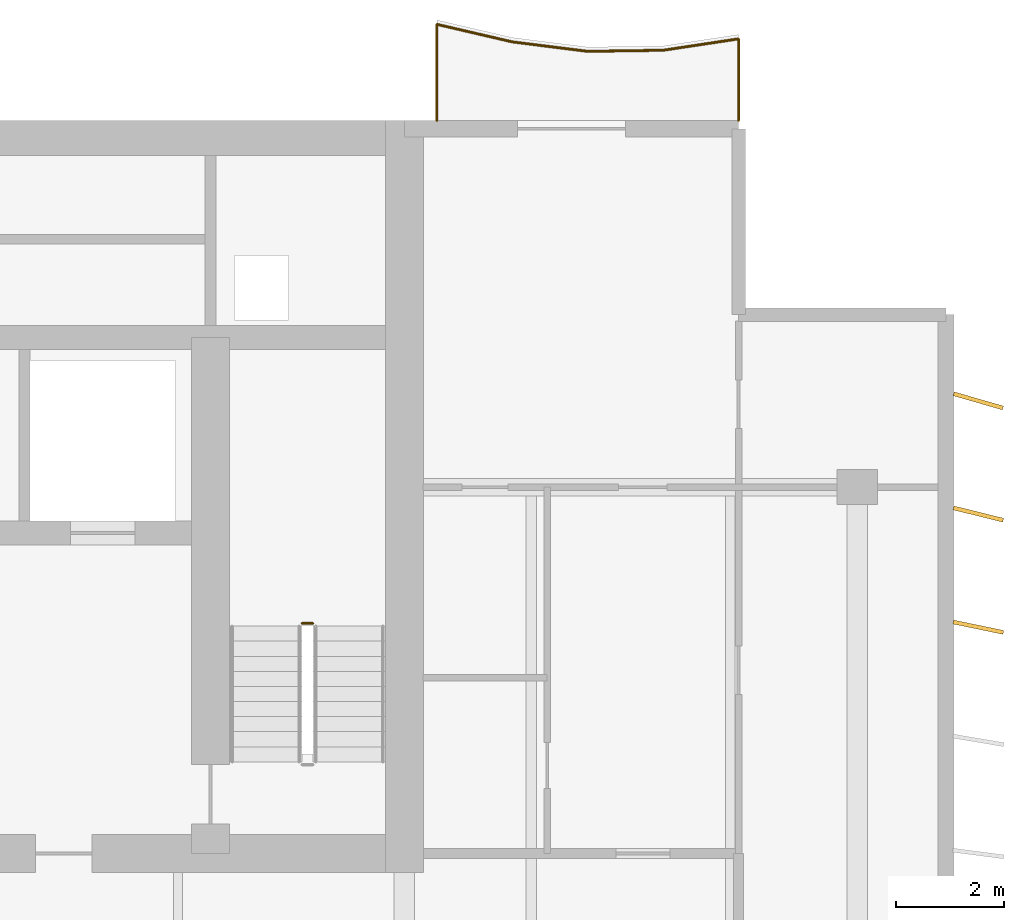
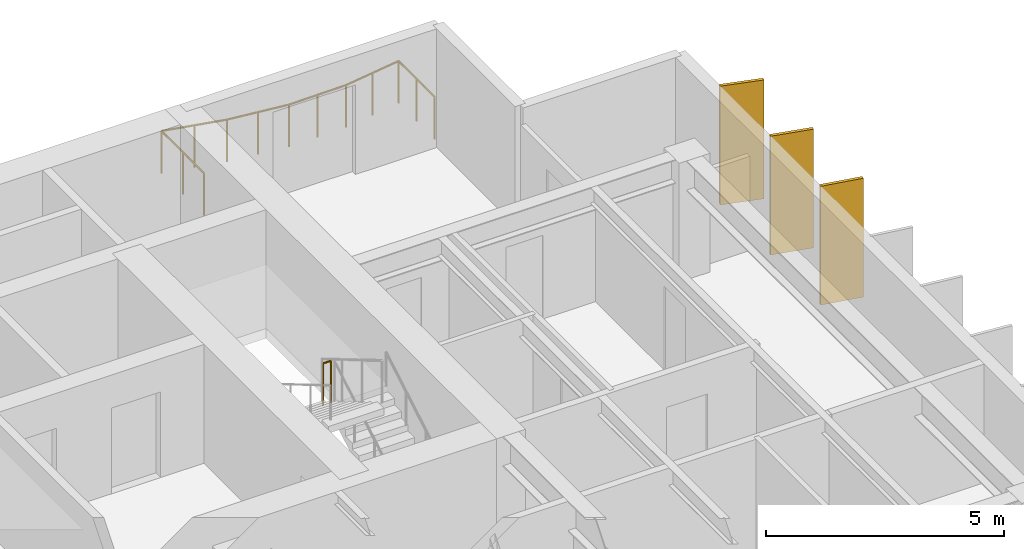
# One storey, part 17 of 17: 3 shading devices, 2 railings.
"""IFC4 building model written with IfcOpenShell, lengths in metres."""

from ifc_helpers import new_model, si_unit, direction, frame, origin, origin_2d, place, context, subcontext, project, spatial, rectangle, circle, extrude, material, material_profile, profile_set, type_object, element, save


model = new_model("IFC4")

# Units and contexts
model_context = context("Model", 3, precision=1e-05, world=origin(), true_north=direction((0.0, 1.0)))
body_context = subcontext(model_context, "Body", "Model", "MODEL_VIEW")
ifc_project = project(units=[si_unit("LENGTHUNIT", "METRE"), si_unit("AREAUNIT", "SQUARE_METRE"), si_unit("VOLUMEUNIT", "CUBIC_METRE"), si_unit("PLANEANGLEUNIT", "RADIAN"), si_unit("MASSUNIT", "GRAM", prefix="KILO")], contexts=[model_context])

# Site, building, storey
site_placement = place(None, origin())
site = spatial("IfcSite", under=ifc_project, at=site_placement, CompositionType="ELEMENT")
building_placement = place(site_placement, origin())
building = spatial("IfcBuilding", under=site, at=building_placement, Name="Caelmar Bay Residences", CompositionType="ELEMENT")
storey_placement = place(building_placement, frame((0.0, 0.0, 236.39990234375)))
storey = spatial("IfcBuildingStorey", under=building, at=storey_placement, Name="L66", CompositionType="ELEMENT", Elevation=236.39990234375)

# Railings
ifc_material_1 = material(Name="Anodised bronze handrail with laminated hurricane glass infill", Category="glass")
railing_type_1 = type_object("IfcRailingType", Name="RL-BAL-1100", PredefinedType="BALUSTRADE", material=ifc_material_1)
railing_1_placement = place(storey_placement, frame((65.699951171875, 50.60009765625, 0.0)))
element("IfcRailing", 1, at=railing_1_placement, inside=storey, type_object=railing_type_1, Name="L66 north_east Balcony Balustrade", PredefinedType="BALUSTRADE", context=body_context, shape_type="SweptSolid", body=[
    extrude(circle(Radius=0.02392578125, at=origin_2d()), frame((0.0, 0.0, 1.076171875), z_axis=(0.0, 1.0, 0.0), x_axis=(-1.0, 0.0, 0.0)), (0.0, 0.0, 1.0), 1.51806640625),
    extrude(circle(Radius=0.02392578125, at=origin_2d()), frame((0.0, 1.51806640625, 1.076171875), z_axis=(-0.988786598686, -0.149335401894, 0.0), x_axis=(0.149335401894, -0.988786598686, 0.0)), (0.0, 0.0, 1.0), 1.415771484375),
    extrude(circle(Radius=0.02392578125, at=origin_2d()), frame((-1.39990234375, 1.306640625, 1.076171875), z_axis=(-0.999895289284, -0.014471021623, 0.0), x_axis=(0.014471021623, -0.999895289284, 0.0)), (0.0, 0.0, 1.0), 1.400390625),
    extrude(circle(Radius=0.02392578125, at=origin_2d()), frame((-2.800048828125, 1.286376953125, 1.076171875), z_axis=(-0.992187101504, 0.124758789708, 0.0), x_axis=(-0.124758789708, -0.992187101504, 0.0)), (0.0, 0.0, 1.0), 1.410888671875),
    extrude(circle(Radius=0.02392578125, at=origin_2d()), frame((-4.199951171875, 1.46240234375, 1.076171875), z_axis=(-0.973988849796, 0.226595940989, 0.0), x_axis=(-0.226595940989, -0.973988849796, 0.0)), (0.0, 0.0, 1.0), 1.437255859375),
    extrude(circle(Radius=0.02392578125, at=origin_2d()), frame((-5.599853515625, 1.7880859375, 1.076171875), z_axis=(0.0, -1.0, 0.0), x_axis=(1.0, 0.0, 0.0)), (0.0, 0.0, 1.0), 1.7880859375),
    extrude(circle(Radius=0.02099609375, at=origin_2d()), origin(), (0.0, 0.0, 1.0), 1.052001953125),
    extrude(circle(Radius=0.02099609375, at=origin_2d()), frame((0.0, 0.759033203125, 0.0)), (0.0, 0.0, 1.0), 1.052001953125),
    extrude(circle(Radius=0.02099609375, at=origin_2d()), frame((0.0, 1.51806640625, 0.0)), (0.0, 0.0, 1.0), 1.052001953125),
    extrude(circle(Radius=0.02099609375, at=origin_2d()), frame((-0.699951171875, 1.412353515625, 0.0)), (0.0, 0.0, 1.0), 1.052001953125),
    extrude(circle(Radius=0.02099609375, at=origin_2d()), frame((-1.39990234375, 1.306640625, 0.0)), (0.0, 0.0, 1.0), 1.052001953125),
    extrude(circle(Radius=0.02099609375, at=origin_2d()), frame((-2.10009765625, 1.29638671875, 0.0)), (0.0, 0.0, 1.0), 1.052001953125),
    extrude(circle(Radius=0.02099609375, at=origin_2d()), frame((-2.800048828125, 1.286376953125, 0.0)), (0.0, 0.0, 1.0), 1.052001953125),
    extrude(circle(Radius=0.02099609375, at=origin_2d()), frame((-3.5, 1.37451171875, 0.0)), (0.0, 0.0, 1.0), 1.052001953125),
    extrude(circle(Radius=0.02099609375, at=origin_2d()), frame((-4.199951171875, 1.46240234375, 0.0)), (0.0, 0.0, 1.0), 1.052001953125),
    extrude(circle(Radius=0.02099609375, at=origin_2d()), frame((-4.89990234375, 1.625244140625, 0.0)), (0.0, 0.0, 1.0), 1.052001953125),
    extrude(circle(Radius=0.02099609375, at=origin_2d()), frame((-5.599853515625, 1.7880859375, 0.0)), (0.0, 0.0, 1.0), 1.052001953125),
    extrude(circle(Radius=0.02099609375, at=origin_2d()), frame((-5.599853515625, 0.89404296875, 0.0)), (0.0, 0.0, 1.0), 1.052001953125),
    extrude(circle(Radius=0.02099609375, at=origin_2d()), frame((-5.599853515625, 0.0, 0.0)), (0.0, 0.0, 1.0), 1.052001953125),
])
ifc_material_2 = material(Name="Painted galvanized steel stair guard 1100 mm", Category="steel")
railing_type_2 = type_object("IfcRailingType", Name="RL-GRD-1100", PredefinedType="GUARDRAIL", material=ifc_material_2)
railing_2_placement = place(storey_placement, frame((57.800048828125, 41.27001953125, 1.650146484375)))
element("IfcRailing", 2, at=railing_2_placement, inside=storey, type_object=railing_type_2, Name="L66 ST2 stair guard 2", PredefinedType="GUARDRAIL", context=body_context, shape_type="SweptSolid", body=[
    extrude(circle(Radius=0.02392578125, at=origin_2d()), frame((0.0, 0.0, 1.076171875), z_axis=(-1.0, 0.0, 0.0), x_axis=(0.0, -1.0, 0.0)), (0.0, 0.0, 1.0), 0.199951171875),
    extrude(circle(Radius=0.02099609375, at=origin_2d()), origin(), (0.0, 0.0, 1.0), 1.052001953125),
    extrude(circle(Radius=0.02099609375, at=origin_2d()), frame((-0.199951171875, 0.0, 0.0)), (0.0, 0.0, 1.0), 1.052001953125),
])

# Shading devices
ifc_material_3 = material(Name="Anodised architectural bronze aluminium 6063-T6", Category="aluminium")
ifc_material_profile = material_profile(ifc_material_3, rectangle(XDim=0.074951171875, YDim=0.949951171875, at=origin_2d()), Name="BRONZE-FIN-75X950")
ifc_profile_set = profile_set([ifc_material_profile], Name="Anodised architectural bronze aluminium 6063-T6")
shading_device_type = type_object("IfcShadingDeviceType", Name="SHD-FIN-950", PredefinedType="USERDEFINED", material=ifc_profile_set)
for number, where, z_axis, x_axis, name in (
    (3, (70.14990234375, 41.199951171875, 0.0), (0.0, 0.0, 1.0), (0.2032999874, 0.979116497217, 0.0), "L66 East Bronze Solar Fin 14"),
    (4, (70.14990234375, 43.300048828125, 0.0), (0.0, 0.0, 1.0), (0.239719743609, 0.970842131618, 0.0), "L66 East Bronze Solar Fin 15"),
    (5, (70.14990234375, 45.39990234375, 0.0), (0.0, 0.0, 1.0), (0.275637355817, 0.961261695938, 0.0), "L66 East Bronze Solar Fin 16"),
):
    element("IfcShadingDevice", number, at=place(storey_placement, frame(where, z_axis=z_axis, x_axis=x_axis)), inside=storey, type_object=shading_device_type, Name=name, ObjectType="FIN", PredefinedType="USERDEFINED", context=body_context, shape_type="SweptSolid", body=[
        extrude(rectangle(XDim=0.074951171875, YDim=0.949951171875, at=origin_2d()), origin(), (0.0, 0.0, 1.0), 3.050048828125),
    ])

save(model, "model.ifc")
